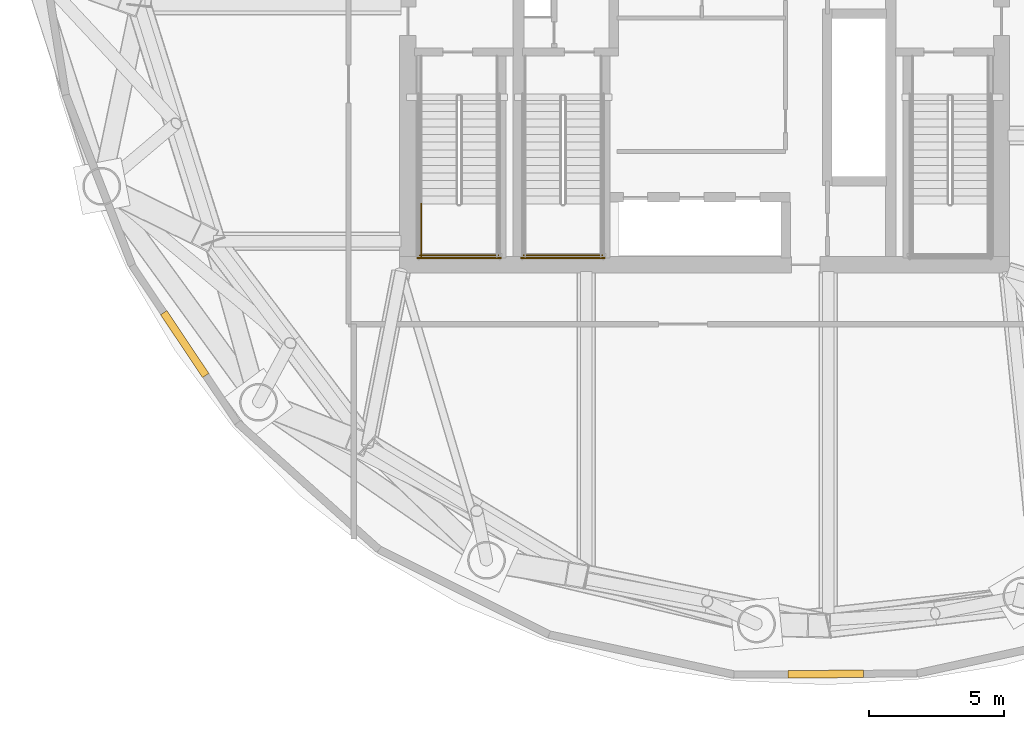
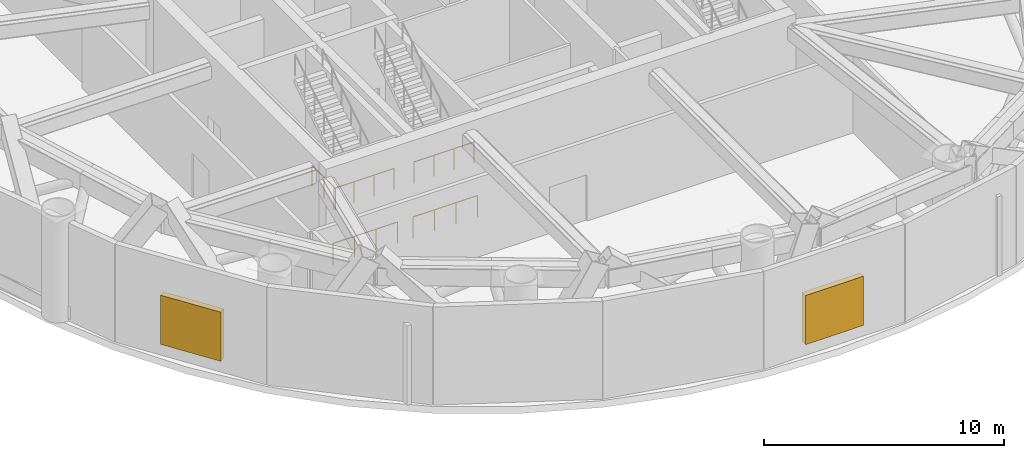
# One storey, part 7 of 10: 5 railings, 2 shading devices.
"""IFC4 building model written with IfcOpenShell, lengths in metres."""

from ifc_helpers import new_model, si_unit, direction, frame, origin, origin_2d, place, context, subcontext, project, spatial, rectangle, circle, extrude, material, type_object, element, save


model = new_model("IFC4")

# Units and contexts
model_context = context("Model", 3, precision=1e-05, world=origin(), true_north=direction((0.0, 1.0)))
body_context = subcontext(model_context, "Body", "Model", "MODEL_VIEW")
ifc_project = project(units=[si_unit("LENGTHUNIT", "METRE"), si_unit("AREAUNIT", "SQUARE_METRE"), si_unit("VOLUMEUNIT", "CUBIC_METRE"), si_unit("PLANEANGLEUNIT", "RADIAN"), si_unit("MASSUNIT", "GRAM", prefix="KILO")], contexts=[model_context])

# Site, building, storey
site_placement = place(None, origin())
site = spatial("IfcSite", under=ifc_project, at=site_placement, CompositionType="ELEMENT")
building_placement = place(site_placement, origin())
building = spatial("IfcBuilding", under=site, at=building_placement, Name="Bramvorn Convention Spire", CompositionType="ELEMENT")
storey_placement = place(building_placement, frame((0.0, 0.0, 165.800048828125)))
storey = spatial("IfcBuildingStorey", under=building, at=storey_placement, Name="L42", CompositionType="ELEMENT", Elevation=165.800048828125)

# Railings
ifc_material_1 = material(Name="Painted Steel Balustrade & Guardrail", Category="steel")
railing_type = type_object("IfcRailingType", Name="RL-STAIR-GUARD-1100", PredefinedType="GUARDRAIL", material=ifc_material_1)
railing_1_placement = place(storey_placement, frame((27.5, 21.06005859375, 2.699951171875)))
element("IfcRailing", 1, at=railing_1_placement, inside=storey, type_object=railing_type, Name="L42 ST1 stair guard 3", PredefinedType="GUARDRAIL", context=body_context, shape_type="SweptSolid", body=[
    extrude(circle(Radius=0.02392578125, at=origin_2d()), frame((0.0, 0.0, 1.076171875), z_axis=(0.0, -1.0, 0.0), x_axis=(1.0, 0.0, 0.0)), (0.0, 0.0, 1.0), 1.9599609375),
    extrude(circle(Radius=0.02099609375, at=origin_2d()), origin(), (0.0, 0.0, 1.0), 1.052001953125),
    extrude(circle(Radius=0.02099609375, at=origin_2d()), frame((0.0, -0.97998046875, 0.0)), (0.0, 0.0, 1.0), 1.052001953125),
    extrude(circle(Radius=0.02099609375, at=origin_2d()), frame((0.0, -1.9599609375, 0.0)), (0.0, 0.0, 1.0), 1.052001953125),
])
railing_2_placement = place(storey_placement, frame((27.449951171875, 19.14990234375, 2.699951171875)))
element("IfcRailing", 2, at=railing_2_placement, inside=storey, type_object=railing_type, Name="L42 ST1 stair guard 5", PredefinedType="GUARDRAIL", context=body_context, shape_type="SweptSolid", body=[
    extrude(circle(Radius=0.02392578125, at=origin_2d()), frame((0.0, 0.0, 1.076171875), z_axis=(1.0, 0.0, 0.0), x_axis=(0.0, 1.0, 0.0)), (0.0, 0.0, 1.0), 2.900146484375),
    extrude(circle(Radius=0.02099609375, at=origin_2d()), origin(), (0.0, 0.0, 1.0), 1.052001953125),
    extrude(circle(Radius=0.02099609375, at=origin_2d()), frame((0.966796875, 0.0, 0.0)), (0.0, 0.0, 1.0), 1.052001953125),
    extrude(circle(Radius=0.02099609375, at=origin_2d()), frame((1.933349609375, 0.0, 0.0)), (0.0, 0.0, 1.0), 1.052001953125),
    extrude(circle(Radius=0.02099609375, at=origin_2d()), frame((2.900146484375, 0.0, 0.0)), (0.0, 0.0, 1.0), 1.052001953125),
])
railing_3_placement = place(storey_placement, frame((27.35009765625, 19.050048828125, 0.0)))
element("IfcRailing", 3, at=railing_3_placement, inside=storey, type_object=railing_type, Name="L42 ST1 stair guard 12", PredefinedType="GUARDRAIL", context=body_context, shape_type="SweptSolid", body=[
    extrude(circle(Radius=0.02392578125, at=origin_2d()), frame((0.0, 0.0, 1.076171875), z_axis=(1.0, 0.0, 0.0), x_axis=(0.0, 1.0, 0.0)), (0.0, 0.0, 1.0), 3.099853515625),
    extrude(circle(Radius=0.02099609375, at=origin_2d()), origin(), (0.0, 0.0, 1.0), 1.052001953125),
    extrude(circle(Radius=0.02099609375, at=origin_2d()), frame((1.033203125, 0.0, 0.0)), (0.0, 0.0, 1.0), 1.052001953125),
    extrude(circle(Radius=0.02099609375, at=origin_2d()), frame((2.066650390625, 0.0, 0.0)), (0.0, 0.0, 1.0), 1.052001953125),
    extrude(circle(Radius=0.02099609375, at=origin_2d()), frame((3.099853515625, 0.0, 0.0)), (0.0, 0.0, 1.0), 1.052001953125),
])
railing_4_placement = place(storey_placement, frame((31.300048828125, 19.14990234375, 2.699951171875)))
element("IfcRailing", 4, at=railing_4_placement, inside=storey, type_object=railing_type, Name="L42 ST3 stair guard 5", PredefinedType="GUARDRAIL", context=body_context, shape_type="SweptSolid", body=[
    extrude(circle(Radius=0.02392578125, at=origin_2d()), frame((0.0, 0.0, 1.076171875), z_axis=(1.0, 0.0, 0.0), x_axis=(0.0, 1.0, 0.0)), (0.0, 0.0, 1.0), 2.89990234375),
    extrude(circle(Radius=0.02099609375, at=origin_2d()), origin(), (0.0, 0.0, 1.0), 1.052001953125),
    extrude(circle(Radius=0.02099609375, at=origin_2d()), frame((0.966552734375, 0.0, 0.0)), (0.0, 0.0, 1.0), 1.052001953125),
    extrude(circle(Radius=0.02099609375, at=origin_2d()), frame((1.933349609375, 0.0, 0.0)), (0.0, 0.0, 1.0), 1.052001953125),
    extrude(circle(Radius=0.02099609375, at=origin_2d()), frame((2.89990234375, 0.0, 0.0)), (0.0, 0.0, 1.0), 1.052001953125),
])
railing_5_placement = place(storey_placement, frame((31.199951171875, 19.050048828125, 0.0)))
element("IfcRailing", 5, at=railing_5_placement, inside=storey, type_object=railing_type, Name="L42 ST3 stair guard 12", PredefinedType="GUARDRAIL", context=body_context, shape_type="SweptSolid", body=[
    extrude(circle(Radius=0.02392578125, at=origin_2d()), frame((0.0, 0.0, 1.076171875), z_axis=(1.0, 0.0, 0.0), x_axis=(0.0, 1.0, 0.0)), (0.0, 0.0, 1.0), 3.10009765625),
    extrude(circle(Radius=0.02099609375, at=origin_2d()), origin(), (0.0, 0.0, 1.0), 1.052001953125),
    extrude(circle(Radius=0.02099609375, at=origin_2d()), frame((1.033447265625, 0.0, 0.0)), (0.0, 0.0, 1.0), 1.052001953125),
    extrude(circle(Radius=0.02099609375, at=origin_2d()), frame((2.066650390625, 0.0, 0.0)), (0.0, 0.0, 1.0), 1.052001953125),
    extrude(circle(Radius=0.02099609375, at=origin_2d()), frame((3.10009765625, 0.0, 0.0)), (0.0, 0.0, 1.0), 1.052001953125),
])

# Shading devices
ifc_material_2 = material(Name="Acoustic Storm-Proof Anodised Bronze Aluminium Louvre", Category="aluminium")
shading_device_type = type_object("IfcShadingDeviceType", Name="SHD-LOUVRE-PLANT", PredefinedType="JALOUSIE", material=ifc_material_2)
for number, where, z_axis, x_axis, name in (
    (6, (18.73095703125, 15.85791015625, 0.550048828125), (0.0, 0.0, 1.0), (-0.556438549752, 0.830888765329, 0.0), "L42 plant intake/exhaust acoustic louvre 17"),
    (7, (42.4853515625, 3.62939453125, 0.550048828125), (0.0, 0.0, 1.0), (-0.999981020389, -0.006161076395, 0.0), "L42 plant intake/exhaust acoustic louvre 21"),
):
    element("IfcShadingDevice", number, at=place(storey_placement, frame(where, z_axis=z_axis, x_axis=x_axis)), inside=storey, type_object=shading_device_type, Name=name, PredefinedType="JALOUSIE", context=body_context, shape_type="SweptSolid", body=[
        extrude(rectangle(XDim=2.800048828125, YDim=0.280029296875, at=origin_2d()), origin(), (0.0, 0.0, 1.0), 2.5),
    ])

save(model, "model.ifc")
